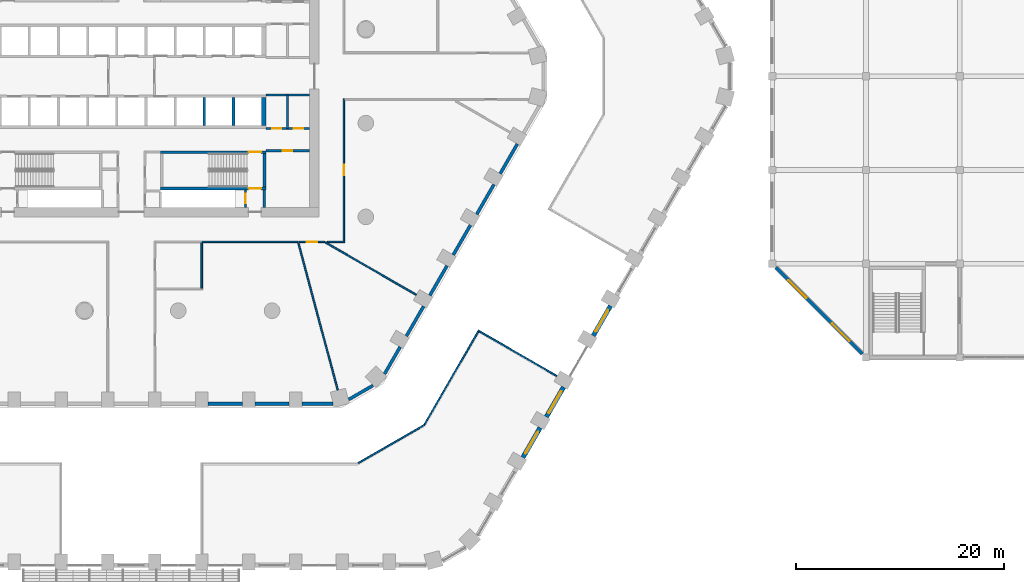
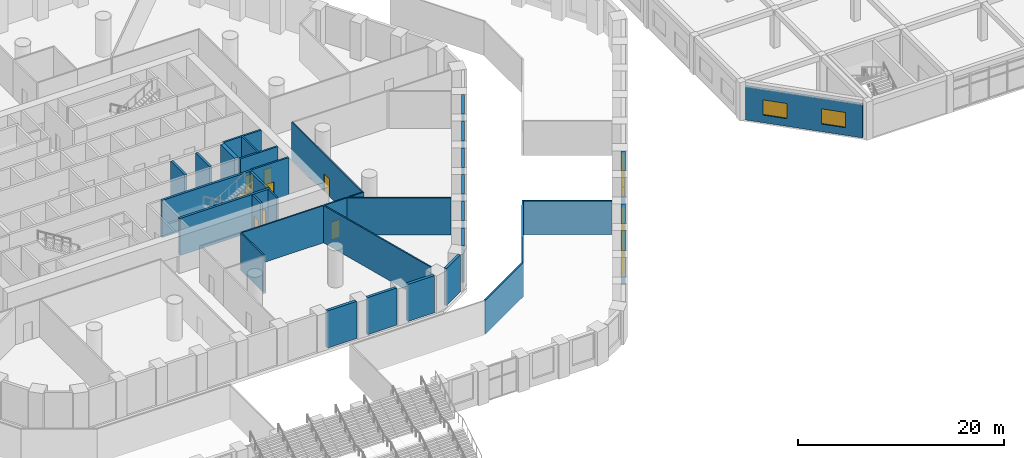
# One storey, part 21 of 42: 36 walls, 8 doors, 5 windows, 13 openings.
"""IFC4 building model written with IfcOpenShell, lengths in metres."""

from ifc_helpers import new_model, si_unit, direction, frame, frame_2d, origin, place, context, subcontext, project, spatial, polyline, rectangle, outline, extrude, material, layer, layer_set, type_object, element, fill, save


model = new_model("IFC4")

# Units and contexts
model_context = context("Model", 3, precision=1e-05, world=origin(), true_north=direction((0.0, 1.0)))
body_context = subcontext(model_context, "Body", "Model", "MODEL_VIEW")
ifc_project = project(units=[si_unit("LENGTHUNIT", "METRE"), si_unit("AREAUNIT", "SQUARE_METRE"), si_unit("VOLUMEUNIT", "CUBIC_METRE"), si_unit("PLANEANGLEUNIT", "RADIAN"), si_unit("MASSUNIT", "GRAM", prefix="KILO")], contexts=[model_context])

# Site, building, storey
site_placement = place(None, origin())
site = spatial("IfcSite", under=ifc_project, at=site_placement, CompositionType="ELEMENT")
building_placement = place(site_placement, origin())
building = spatial("IfcBuilding", under=site, at=building_placement, Name="Dhurran Vertical Campus", CompositionType="ELEMENT")
storey_placement = place(building_placement, frame((0.0, 0.0, 6.0)))
storey = spatial("IfcBuildingStorey", under=building, at=storey_placement, Name="L01", CompositionType="ELEMENT", Elevation=6.0)

# Wall, opening, window
ifc_material_1 = material(Name="Precast concrete C50/60", Category="concrete")
ifc_layer_1 = layer(ifc_material_1, 0.449951171875)
ifc_layer_set_1 = layer_set([ifc_layer_1], Name="Precast concrete C50/60")
wall_type_1 = type_object("IfcWallType", Name="Precast base wall 450", PredefinedType="SOLIDWALL", material=ifc_layer_set_1)
wall_1_placement = place(storey_placement, frame((37.579345703125, -36.591552734375, 0.0), z_axis=(0.0, 0.0, 1.0), x_axis=(0.499991515992, 0.866030301974, 0.0)))
wall_1 = element("IfcWall", 1, at=wall_1_placement, inside=storey, type_object=wall_type_1, Name="EW2 L01.16 ring", PredefinedType="SOLIDWALL", context=body_context, shape_type="SweptSolid", body=[
    extrude(rectangle(XDim=3.298828125, YDim=0.449951171875, at=frame_2d((1.6494140625, 0.0))), origin(), (0.0, 0.0, 1.0), 4.050048828125),
])
opening_1_placement = place(wall_1_placement, frame((0.449462890625, 0.0, 0.89990234375)))
opening_1 = element("IfcOpeningElement", 2, at=opening_1_placement, cuts=wall_1, Name="Opening WT2", PredefinedType="OPENING", context=body_context, shape_type="SweptSolid", body=[
    extrude(rectangle(XDim=2.39990234375, YDim=3.0, at=frame_2d((1.199951171875, 1.5))), frame((0.0, 0.23486328125, 0.0), z_axis=(0.0, -1.0, 0.0), x_axis=(1.0, 0.0, 0.0)), (0.0, 0.0, 1.0), 0.469970703125),
])
ifc_material_2 = material(Name="Aluminium frame with solar-control glass", Category="aluminium")
window_type_1 = type_object("IfcWindowType", Name="Podium window 2400 x 3000", PartitioningType="SINGLE_PANEL", PredefinedType="WINDOW", material=ifc_material_2)
window_1_placement = place(opening_1_placement, origin())
window_1 = element("IfcWindow", 3, at=window_1_placement, inside=storey, type_object=window_type_1, Name="WT2 L01.16 ring", OverallHeight=3.0, OverallWidth=2.39990234375, PartitioningType="SINGLE_PANEL", PredefinedType="WINDOW", context=body_context, shape_type="SweptSolid", body=[
    extrude(rectangle(XDim=2.39990234375, YDim=3.0, at=frame_2d((1.199951171875, 1.5))), frame((0.0, 0.030029296875, 0.0), z_axis=(0.0, -1.0, 0.0), x_axis=(1.0, 0.0, 0.0)), (0.0, 0.0, 1.0), 0.06005859375),
])
fill(opening_1, window_1)

wall_2_placement = place(storey_placement, frame((39.829345703125, -32.6943359375, 0.0), z_axis=(0.0, 0.0, 1.0), x_axis=(0.499991515992, 0.866030301974, 0.0)))
wall_2 = element("IfcWall", 4, at=wall_2_placement, inside=storey, type_object=wall_type_1, Name="EW2 L01.17 ring", PredefinedType="SOLIDWALL", context=body_context, shape_type="SweptSolid", body=[
    extrude(rectangle(XDim=3.298828125, YDim=0.449951171875, at=frame_2d((1.6494140625, 0.0))), origin(), (0.0, 0.0, 1.0), 4.050048828125),
])
opening_2_placement = place(wall_2_placement, frame((0.449462890625, 0.0, 0.89990234375)))
opening_2 = element("IfcOpeningElement", 5, at=opening_2_placement, cuts=wall_2, Name="Opening WT2", PredefinedType="OPENING", context=body_context, shape_type="SweptSolid", body=[
    extrude(rectangle(XDim=2.39990234375, YDim=3.0, at=frame_2d((1.199951171875, 1.5))), frame((0.0, 0.23486328125, 0.0), z_axis=(0.0, -1.0, 0.0), x_axis=(1.0, 0.0, 0.0)), (0.0, 0.0, 1.0), 0.469970703125),
])
window_2_placement = place(opening_2_placement, origin())
window_2 = element("IfcWindow", 6, at=window_2_placement, inside=storey, type_object=window_type_1, Name="WT2 L01.17 ring", OverallHeight=3.0, OverallWidth=2.39990234375, PartitioningType="SINGLE_PANEL", PredefinedType="WINDOW", context=body_context, shape_type="SweptSolid", body=[
    extrude(rectangle(XDim=2.39990234375, YDim=3.0, at=frame_2d((1.199951171875, 1.5))), frame((0.0, 0.030029296875, 0.0), z_axis=(0.0, -1.0, 0.0), x_axis=(1.0, 0.0, 0.0)), (0.0, 0.0, 1.0), 0.06005859375),
])
fill(opening_2, window_2)

wall_3_placement = place(storey_placement, frame((45.978759765625, -22.043212890625, 0.0), z_axis=(0.0, 0.0, 1.0), x_axis=(-0.499991515992, -0.866030301974, 0.0)))
wall_3 = element("IfcWall", 7, at=wall_3_placement, inside=storey, type_object=wall_type_1, Name="EW2 L01.19 ring", PredefinedType="SOLIDWALL", context=body_context, shape_type="SweptSolid", body=[
    extrude(rectangle(XDim=3.298828125, YDim=0.449951171875, at=frame_2d((1.6494140625, 0.0))), origin(), (0.0, 0.0, 1.0), 4.050048828125),
])
opening_3_placement = place(wall_3_placement, frame((0.449462890625, 0.0, 0.89990234375)))
opening_3 = element("IfcOpeningElement", 8, at=opening_3_placement, cuts=wall_3, Name="Opening WT2", PredefinedType="OPENING", context=body_context, shape_type="SweptSolid", body=[
    extrude(rectangle(XDim=2.39990234375, YDim=3.0, at=frame_2d((1.199951171875, 1.5))), frame((0.0, 0.23486328125, 0.0), z_axis=(0.0, -1.0, 0.0), x_axis=(1.0, 0.0, 0.0)), (0.0, 0.0, 1.0), 0.469970703125),
])
window_3_placement = place(opening_3_placement, origin())
window_3 = element("IfcWindow", 9, at=window_3_placement, inside=storey, type_object=window_type_1, Name="WT2 L01.19 ring", OverallHeight=3.0, OverallWidth=2.39990234375, PartitioningType="SINGLE_PANEL", PredefinedType="WINDOW", context=body_context, shape_type="SweptSolid", body=[
    extrude(rectangle(XDim=2.39990234375, YDim=3.0, at=frame_2d((1.199951171875, 1.5))), frame((0.0, 0.030029296875, 0.0), z_axis=(0.0, -1.0, 0.0), x_axis=(1.0, 0.0, 0.0)), (0.0, 0.0, 1.0), 0.06005859375),
])
fill(opening_3, window_3)

# Walls
ifc_material_3 = material(Name="Precast concrete C50/60", Category="concrete")
ifc_layer_2 = layer(ifc_material_3, 0.300048828125)
ifc_layer_set_2 = layer_set([ifc_layer_2], Name="Precast concrete C50/60")
wall_type_2 = type_object("IfcWallType", Name="Precast interior wall 300", PredefinedType="SOLIDWALL", material=ifc_layer_set_2)
for number, where, z_axis, x_axis, name in (
    (10, (7.3505859375, -31.4296875, 0.0), (0.0, 0.0, 1.0), (1.0, 0.0, 0.0), "EW5 L01.06"),
    (11, (11.8505859375, -31.4296875, 0.0), (0.0, 0.0, 1.0), (1.0, 0.0, 0.0), "EW5 L01.07"),
):
    element("IfcWall", number, at=place(storey_placement, frame(where, z_axis=z_axis, x_axis=x_axis)), inside=storey, type_object=wall_type_2, Name=name, PredefinedType="SOLIDWALL", context=body_context, shape_type="SweptSolid", body=[
        extrude(rectangle(XDim=3.298828125, YDim=0.300048828125, at=frame_2d((1.6494140625, 0.0))), origin(), (0.0, 0.0, 1.0), 4.39990234375),
    ])
wall_4_placement = place(storey_placement, frame((16.3505859375, -31.4296875, 0.0), z_axis=(0.0, 0.0, 1.0), x_axis=(1.0, 0.0, 0.0)))
element("IfcWall", 12, at=wall_4_placement, inside=storey, type_object=wall_type_2, Name="EW5 L01.08", PredefinedType="SOLIDWALL", context=body_context, shape_type="SweptSolid", body=[
    extrude(rectangle(XDim=2.98876953125, YDim=0.300048828125, at=frame_2d((1.494384765625, 0.0))), origin(), (0.0, 0.0, 1.0), 4.39990234375),
])
wall_5_placement = place(storey_placement, frame((20.86376953125, -31.021240234375, 0.0), z_axis=(0.0, 0.0, 1.0), x_axis=(0.866001915448, 0.500040680786, 0.0)))
element("IfcWall", 13, at=wall_5_placement, inside=storey, type_object=wall_type_2, Name="EW5 L01.09", PredefinedType="SOLIDWALL", context=body_context, shape_type="SweptSolid", body=[
    extrude(rectangle(XDim=2.678466796875, YDim=0.300048828125, at=frame_2d((1.33935546875, 0.0))), origin(), (0.0, 0.0, 1.0), 4.39990234375),
])
wall_6_placement = place(storey_placement, frame((24.29931640625, -28.566162109375, 0.0), z_axis=(0.0, 0.0, 1.0), x_axis=(0.49999586137, 0.866027793211, 0.0)))
element("IfcWall", 14, at=wall_6_placement, inside=storey, type_object=wall_type_2, Name="EW5 L01.10", PredefinedType="SOLIDWALL", context=body_context, shape_type="SweptSolid", body=[
    extrude(rectangle(XDim=2.98876953125, YDim=0.300048828125, at=frame_2d((1.494384765625, 0.0))), origin(), (0.0, 0.0, 1.0), 4.39990234375),
])
for number, where, z_axis, x_axis, name in (
    (15, (26.394287109375, -24.9375, 0.0), (0.0, 0.0, 1.0), (0.499991515992, 0.866030301974, 0.0), "EW5 L01.11"),
    (16, (28.644287109375, -21.04052734375, 0.0), (0.0, 0.0, 1.0), (0.499991515992, 0.866030301974, 0.0), "EW5 L01.12"),
    (17, (30.894287109375, -17.143310546875, 0.0), (0.0, 0.0, 1.0), (0.499991515992, 0.866030301974, 0.0), "EW5 L01.13"),
    (18, (33.144287109375, -13.246337890625, 0.0), (0.0, 0.0, 1.0), (0.499991515992, 0.866030301974, 0.0), "EW5 L01.14"),
    (19, (35.394287109375, -9.34912109375, 0.0), (0.0, 0.0, 1.0), (0.499991515992, 0.866030301974, 0.0), "EW5 L01.15"),
):
    element("IfcWall", number, at=place(storey_placement, frame(where, z_axis=z_axis, x_axis=x_axis)), inside=storey, type_object=wall_type_2, Name=name, PredefinedType="SOLIDWALL", context=body_context, shape_type="SweptSolid", body=[
        extrude(rectangle(XDim=3.298828125, YDim=0.300048828125, at=frame_2d((1.6494140625, 0.0))), origin(), (0.0, 0.0, 1.0), 4.39990234375),
    ])
ifc_material_4 = material(Name="Fire-rated masonry blockwork", Category="masonry")
ifc_layer_3 = layer(ifc_material_4, 0.199951171875)
ifc_layer_set_3 = layer_set([ifc_layer_3], Name="Fire-rated masonry blockwork")
wall_type_3 = type_object("IfcWallType", Name="co-FIRE-PARTITION-200", PredefinedType="PARTITIONING", material=ifc_layer_set_3)
wall_7_placement = place(storey_placement, frame((12.75, -12.60009765625, 0.0), z_axis=(0.0, 0.0, 1.0), x_axis=(0.0, 1.0, 0.0)))
element("IfcWall", 20, at=wall_7_placement, inside=storey, type_object=wall_type_3, Name="Core partition pass-ST4-o L01", PredefinedType="PARTITIONING", context=body_context, shape_type="SweptSolid", body=[
    extrude(rectangle(XDim=1.7001953125, YDim=0.199951171875, at=frame_2d((0.85009765625, 0.0))), origin(), (0.0, 0.0, 1.0), 4.39990234375),
])

# Wall, opening, door
wall_8_placement = place(storey_placement, frame((10.949951171875, -12.60009765625, 0.0), z_axis=(0.0, 0.0, 1.0), x_axis=(0.0, 1.0, 0.0)))
wall_8 = element("IfcWall", 21, at=wall_8_placement, inside=storey, type_object=wall_type_3, Name="Core partition pass-ST4-i L01", PredefinedType="PARTITIONING", context=body_context, shape_type="SweptSolid", body=[
    extrude(rectangle(XDim=1.7001953125, YDim=0.199951171875, at=frame_2d((0.85009765625, 0.0))), origin(), (0.0, 0.0, 1.0), 4.39990234375),
])
opening_4_placement = place(wall_8_placement, frame((0.39990234375, 0.0, 0.0)))
opening_4 = element("IfcOpeningElement", 22, at=opening_4_placement, cuts=wall_8, Name="Opening PD01-C11", PredefinedType="OPENING", context=body_context, shape_type="SweptSolid", body=[
    extrude(rectangle(XDim=0.89990234375, YDim=2.10009765625, at=frame_2d((0.449951171875, 1.050048828125))), frame((0.0, 0.10986328125, 0.0), z_axis=(0.0, -1.0, 0.0), x_axis=(1.0, 0.0, 0.0)), (0.0, 0.0, 1.0), 0.219970703125),
])
ifc_material_5 = material(Name="Fire-rated timber door set", Category="wood")
door_type_1 = type_object("IfcDoorType", Name="co-D-ROOM 900x2100", OperationType="SINGLE_SWING_LEFT", PredefinedType="DOOR", material=ifc_material_5)
door_1_placement = place(opening_4_placement, origin())
door_1 = element("IfcDoor", 23, at=door_1_placement, inside=storey, type_object=door_type_1, Name="Riser room door L01", OperationType="SINGLE_SWING_LEFT", OverallHeight=2.10009765625, OverallWidth=0.89990234375, PredefinedType="DOOR", context=body_context, shape_type="SweptSolid", body=[
    extrude(rectangle(XDim=0.89990234375, YDim=2.10009765625, at=frame_2d((0.449951171875, 1.050048828125))), frame((0.0, 0.02490234375, 0.0), z_axis=(0.0, -1.0, 0.0), x_axis=(1.0, 0.0, 0.0)), (0.0, 0.0, 1.0), 0.050048828125),
])
fill(opening_4, door_1)

wall_9_placement = place(storey_placement, frame((12.89990234375, -7.14990234375, 0.0), z_axis=(0.0, 0.0, 1.0), x_axis=(1.0, 0.0, 0.0)))
wall_9 = element("IfcWall", 24, at=wall_9_placement, inside=storey, type_object=wall_type_3, Name="Core partition en-SE-w L01", PredefinedType="PARTITIONING", context=body_context, shape_type="SweptSolid", body=[
    extrude(rectangle(XDim=4.2001953125, YDim=0.199951171875, at=frame_2d((2.10009765625, 0.0))), origin(), (0.0, 0.0, 1.0), 4.39990234375),
])
opening_5_placement = place(wall_9_placement, frame((1.64990234375, 0.0, 0.0)))
opening_5 = element("IfcOpeningElement", 25, at=opening_5_placement, cuts=wall_9, Name="Opening PD01-C23", PredefinedType="OPENING", context=body_context, shape_type="SweptSolid", body=[
    extrude(rectangle(XDim=0.89990234375, YDim=2.10009765625, at=frame_2d((0.449951171875, 1.050048828125))), frame((0.0, 0.10986328125, 0.0), z_axis=(0.0, -1.0, 0.0), x_axis=(1.0, 0.0, 0.0)), (0.0, 0.0, 1.0), 0.219970703125),
])
door_2_placement = place(opening_5_placement, origin())
door_2 = element("IfcDoor", 26, at=door_2_placement, inside=storey, type_object=door_type_1, Name="Plant room door L01", OperationType="SINGLE_SWING_LEFT", OverallHeight=2.10009765625, OverallWidth=0.89990234375, PredefinedType="DOOR", context=body_context, shape_type="SweptSolid", body=[
    extrude(rectangle(XDim=0.89990234375, YDim=2.10009765625, at=frame_2d((0.449951171875, 1.050048828125))), frame((0.0, 0.02490234375, 0.0), z_axis=(0.0, -1.0, 0.0), x_axis=(1.0, 0.0, 0.0)), (0.0, 0.0, 1.0), 0.050048828125),
])
fill(opening_5, door_2)

# Wall
wall_10_placement = place(storey_placement, frame((15.0, -5.0, 0.0), z_axis=(0.0, 0.0, 1.0), x_axis=(0.0, 1.0, 0.0)))
element("IfcWall", 27, at=wall_10_placement, inside=storey, type_object=wall_type_3, Name="Core partition es-SE-cut0 L01", PredefinedType="PARTITIONING", context=body_context, shape_type="SweptSolid", body=[
    extrude(rectangle(XDim=3.199951171875, YDim=0.199951171875, at=frame_2d((1.60009765625, 0.0))), origin(), (0.0, 0.0, 1.0), 4.39990234375),
])

# Wall, openings, doors
wall_11_placement = place(storey_placement, frame((12.89990234375, -5.0, 0.0), z_axis=(0.0, 0.0, 1.0), x_axis=(1.0, 0.0, 0.0)))
wall_11 = element("IfcWall", 28, at=wall_11_placement, inside=storey, type_object=wall_type_3, Name="Core partition es-SE-w L01", PredefinedType="PARTITIONING", context=body_context, shape_type="SweptSolid", body=[
    extrude(rectangle(XDim=4.2001953125, YDim=0.199951171875, at=frame_2d((2.10009765625, 0.0))), origin(), (0.0, 0.0, 1.0), 4.39990234375),
])
opening_6_placement = place(wall_11_placement, frame((0.60009765625, 0.0, 0.0)))
opening_6 = element("IfcOpeningElement", 29, at=opening_6_placement, cuts=wall_11, Name="Opening PD01-C24", PredefinedType="OPENING", context=body_context, shape_type="SweptSolid", body=[
    extrude(rectangle(XDim=0.89990234375, YDim=2.10009765625, at=frame_2d((0.449951171875, 1.050048828125))), frame((0.0, 0.10986328125, 0.0), z_axis=(0.0, -1.0, 0.0), x_axis=(1.0, 0.0, 0.0)), (0.0, 0.0, 1.0), 0.219970703125),
])
opening_7_placement = place(wall_11_placement, frame((2.699951171875, 0.0, 0.0)))
opening_7 = element("IfcOpeningElement", 30, at=opening_7_placement, cuts=wall_11, Name="Opening PD01-C25", PredefinedType="OPENING", context=body_context, shape_type="SweptSolid", body=[
    extrude(rectangle(XDim=0.89990234375, YDim=2.10009765625, at=frame_2d((0.449951171875, 1.050048828125))), frame((0.0, 0.10986328125, 0.0), z_axis=(0.0, -1.0, 0.0), x_axis=(1.0, 0.0, 0.0)), (0.0, 0.0, 1.0), 0.219970703125),
])
door_3_placement = place(opening_6_placement, origin())
door_3 = element("IfcDoor", 31, at=door_3_placement, inside=storey, type_object=door_type_1, Name="Pantry door L01", OperationType="SINGLE_SWING_LEFT", OverallHeight=2.10009765625, OverallWidth=0.89990234375, PredefinedType="DOOR", context=body_context, shape_type="SweptSolid", body=[
    extrude(rectangle(XDim=0.89990234375, YDim=2.10009765625, at=frame_2d((0.449951171875, 1.050048828125))), frame((0.0, 0.02490234375, 0.0), z_axis=(0.0, -1.0, 0.0), x_axis=(1.0, 0.0, 0.0)), (0.0, 0.0, 1.0), 0.050048828125),
])
fill(opening_6, door_3)
door_4_placement = place(opening_7_placement, origin())
door_4 = element("IfcDoor", 32, at=door_4_placement, inside=storey, type_object=door_type_1, Name="Store door L01", OperationType="SINGLE_SWING_LEFT", OverallHeight=2.10009765625, OverallWidth=0.89990234375, PredefinedType="DOOR", context=body_context, shape_type="SweptSolid", body=[
    extrude(rectangle(XDim=0.89990234375, YDim=2.10009765625, at=frame_2d((0.449951171875, 1.050048828125))), frame((0.0, 0.02490234375, 0.0), z_axis=(0.0, -1.0, 0.0), x_axis=(1.0, 0.0, 0.0)), (0.0, 0.0, 1.0), 0.050048828125),
])
fill(opening_7, door_4)

# Walls
wall_12_placement = place(storey_placement, frame((12.89990234375, -1.800048828125, 0.0), z_axis=(0.0, 0.0, 1.0), x_axis=(1.0, 0.0, 0.0)))
element("IfcWall", 33, at=wall_12_placement, inside=storey, type_object=wall_type_3, Name="Core partition es-SE-l L01", PredefinedType="PARTITIONING", context=body_context, shape_type="SweptSolid", body=[
    extrude(rectangle(XDim=4.2001953125, YDim=0.199951171875, at=frame_2d((2.10009765625, 0.0))), origin(), (0.0, 0.0, 1.0), 4.39990234375),
])
ifc_material_6 = material(Name="Concrete C50/60", Category="concrete")
ifc_layer_4 = layer(ifc_material_6, 0.25)
ifc_layer_set_4 = layer_set([ifc_layer_4], Name="Concrete C50/60")
wall_type_4 = type_object("IfcWallType", Name="co-SHAFT-MASS-250", PredefinedType="SHEAR", material=ifc_layer_set_4)
wall_13_placement = place(storey_placement, origin())
element("IfcWall", 34, at=wall_13_placement, inside=storey, type_object=wall_type_4, Name="Lift shaft wall S L01 9", PredefinedType="SHEAR", context=body_context, shape_type="SweptSolid", body=[
    extrude(outline(polyline([(6.875, -4.75), (7.125, -4.75), (7.125, -2.050048828125), (6.875, -2.050048828125), (6.875, -4.75)])), origin(), (0.0, 0.0, 1.0), 4.39990234375),
])
wall_14_placement = place(storey_placement, origin())
element("IfcWall", 35, at=wall_14_placement, inside=storey, type_object=wall_type_4, Name="Lift shaft wall S L01 10", PredefinedType="SHEAR", context=body_context, shape_type="SweptSolid", body=[
    extrude(outline(polyline([(9.675048828125, -4.75), (9.925048828125, -4.75), (9.925048828125, -2.050048828125), (9.675048828125, -2.050048828125), (9.675048828125, -4.75)])), origin(), (0.0, 0.0, 1.0), 4.39990234375),
])
wall_15_placement = place(storey_placement, origin())
element("IfcWall", 36, at=wall_15_placement, inside=storey, type_object=wall_type_4, Name="Lift shaft wall S L01 11", PredefinedType="SHEAR", context=body_context, shape_type="SweptSolid", body=[
    extrude(outline(polyline([(12.47509765625, -4.75), (12.89990234375, -4.75), (12.89990234375, -2.050048828125), (12.47509765625, -2.050048828125), (12.47509765625, -4.75)])), origin(), (0.0, 0.0, 1.0), 4.39990234375),
])

# Wall, opening, door
ifc_material_7 = material(Name="Concrete C40/50", Category="concrete")
ifc_layer_5 = layer(ifc_material_7, 0.25)
ifc_layer_set_5 = layer_set([ifc_layer_5], Name="Concrete C40/50")
wall_type_5 = type_object("IfcWallType", Name="co-STAIR-WALL-250", PredefinedType="SHEAR", material=ifc_layer_set_5)
wall_16_placement = place(storey_placement, frame((2.800048828125, -10.77490234375, 0.0), z_axis=(0.0, 0.0, 1.0), x_axis=(1.0, 0.0, 0.0)))
wall_16 = element("IfcWall", 37, at=wall_16_placement, inside=storey, type_object=wall_type_5, Name="Stair ST4 enclosure wall L01", PredefinedType="SHEAR", context=body_context, shape_type="SweptSolid", body=[
    extrude(rectangle(XDim=10.099853515625, YDim=0.25, at=frame_2d((5.0498046875, 0.0))), origin(), (0.0, 0.0, 1.0), 4.39990234375),
])
opening_8_placement = place(wall_16_placement, frame((8.449951171875, 0.0, 0.0)))
opening_8 = element("IfcOpeningElement", 38, at=opening_8_placement, cuts=wall_16, Name="Opening XS4", PredefinedType="OPENING", context=body_context, shape_type="SweptSolid", body=[
    extrude(rectangle(XDim=1.199951171875, YDim=2.10009765625, at=frame_2d((0.60009765625, 1.050048828125))), frame((0.0, 0.135009765625, 0.0), z_axis=(0.0, -1.0, 0.0), x_axis=(1.0, 0.0, 0.0)), (0.0, 0.0, 1.0), 0.27001953125),
])
ifc_material_8 = material(Name="Fire-rated steel door set", Category="steel")
door_type_2 = type_object("IfcDoorType", Name="co-D-STAIR-EXIT 1200x2100", OperationType="SINGLE_SWING_RIGHT", PredefinedType="DOOR", material=ifc_material_8)
door_5_placement = place(opening_8_placement, origin())
door_5 = element("IfcDoor", 39, at=door_5_placement, inside=storey, type_object=door_type_2, Name="Stair ST4 discharge door L01", OperationType="SINGLE_SWING_RIGHT", OverallHeight=2.10009765625, OverallWidth=1.199951171875, PredefinedType="DOOR", context=body_context, shape_type="SweptSolid", body=[
    extrude(rectangle(XDim=1.199951171875, YDim=2.10009765625, at=frame_2d((0.60009765625, 1.050048828125))), frame((0.0, 0.02490234375, 0.0), z_axis=(0.0, -1.0, 0.0), x_axis=(1.0, 0.0, 0.0)), (0.0, 0.0, 1.0), 0.050048828125),
])
fill(opening_8, door_5)

wall_17_placement = place(storey_placement, frame((2.800048828125, -7.27490234375, 0.0), z_axis=(0.0, 0.0, 1.0), x_axis=(1.0, 0.0, 0.0)))
wall_17 = element("IfcWall", 40, at=wall_17_placement, inside=storey, type_object=wall_type_5, Name="Stair ST4 enclosure wall L01", PredefinedType="SHEAR", context=body_context, shape_type="SweptSolid", body=[
    extrude(rectangle(XDim=10.099853515625, YDim=0.25, at=frame_2d((5.0498046875, 0.0))), origin(), (0.0, 0.0, 1.0), 4.39990234375),
])
opening_9_placement = place(wall_17_placement, frame((8.449951171875, 0.0, 0.0)))
opening_9 = element("IfcOpeningElement", 41, at=opening_9_placement, cuts=wall_17, Name="Opening SD4", PredefinedType="OPENING", context=body_context, shape_type="SweptSolid", body=[
    extrude(rectangle(XDim=1.199951171875, YDim=2.10009765625, at=frame_2d((0.60009765625, 1.050048828125))), frame((0.0, 0.135009765625, 0.0), z_axis=(0.0, -1.0, 0.0), x_axis=(1.0, 0.0, 0.0)), (0.0, 0.0, 1.0), 0.27001953125),
])
ifc_material_9 = material(Name="Fire-rated steel door set", Category="steel")
door_type_3 = type_object("IfcDoorType", Name="co-D-STAIR 1200x2100", OperationType="SINGLE_SWING_LEFT", PredefinedType="DOOR", material=ifc_material_9)
door_6_placement = place(opening_9_placement, origin())
door_6 = element("IfcDoor", 42, at=door_6_placement, inside=storey, type_object=door_type_3, Name="Stair ST4 door L01", OperationType="SINGLE_SWING_LEFT", OverallHeight=2.10009765625, OverallWidth=1.199951171875, PredefinedType="DOOR", context=body_context, shape_type="SweptSolid", body=[
    extrude(rectangle(XDim=1.199951171875, YDim=2.10009765625, at=frame_2d((0.60009765625, 1.050048828125))), frame((0.0, 0.02490234375, 0.0), z_axis=(0.0, -1.0, 0.0), x_axis=(1.0, 0.0, 0.0)), (0.0, 0.0, 1.0), 0.050048828125),
])
fill(opening_9, door_6)

# Walls
wall_18_placement = place(storey_placement, frame((12.77490234375, -10.64990234375, 0.0), z_axis=(0.0, 0.0, 1.0), x_axis=(0.0, 1.0, 0.0)))
element("IfcWall", 43, at=wall_18_placement, inside=storey, type_object=wall_type_5, Name="Stair ST4 enclosure wall L01", PredefinedType="SHEAR", context=body_context, shape_type="SweptSolid", body=[
    extrude(rectangle(XDim=3.25, YDim=0.25, at=frame_2d((1.625, 0.0))), origin(), (0.0, 0.0, 1.0), 4.39990234375),
])
ifc_material_10 = material(Name="Gypsum board corridor wall on steel studs", Category="steel")
ifc_layer_6 = layer(ifc_material_10, 0.14990234375)
ifc_layer_set_6 = layer_set([ifc_layer_6], Name="Gypsum board corridor wall on steel studs")
wall_type_6 = type_object("IfcWallType", Name="fl-CW-150 corridor wall", PredefinedType="PARTITIONING", material=ifc_layer_set_6)
wall_19_placement = place(storey_placement, frame((28.138916015625, -33.46044921875, 0.0), z_axis=(0.0, 0.0, 1.0), x_axis=(-0.866011067739, -0.500024829938, 0.0)))
element("IfcWall", 44, at=wall_19_placement, inside=storey, type_object=wall_type_6, Name="Partition 01-R66", PredefinedType="PARTITIONING", context=body_context, shape_type="SweptSolid", body=[
    extrude(rectangle(XDim=7.338623046875, YDim=0.14990234375, at=frame_2d((3.66943359375, 0.0))), origin(), (0.0, 0.0, 1.0), 4.050048828125),
])
wall_20_placement = place(storey_placement, frame((33.361572265625, -24.37109375, 0.0), z_axis=(0.0, 0.0, 1.0), x_axis=(-0.500054877109, -0.865993718152, 0.0)))
element("IfcWall", 45, at=wall_20_placement, inside=storey, type_object=wall_type_6, Name="Partition 01-R68", PredefinedType="PARTITIONING", context=body_context, shape_type="SweptSolid", body=[
    extrude(rectangle(XDim=10.447021484375, YDim=0.14990234375, at=frame_2d((5.2236328125, 0.0))), origin(), (0.0, 0.0, 1.0), 4.050048828125),
])
wall_21_placement = place(storey_placement, frame((40.83056640625, -28.77001953125, 0.0), z_axis=(0.0, 0.0, 1.0), x_axis=(-0.866015728299, 0.500016758057, 0.0)))
element("IfcWall", 46, at=wall_21_placement, inside=storey, type_object=wall_type_6, Name="Partition 01-R76", PredefinedType="PARTITIONING", context=body_context, shape_type="SweptSolid", body=[
    extrude(rectangle(XDim=8.593017578125, YDim=0.14990234375, at=frame_2d((4.29638671875, 0.0))), origin(), (0.0, 0.0, 1.0), 4.050048828125),
])
wall_22_placement = place(storey_placement, frame((6.75, -15.89990234375, 0.0), z_axis=(0.0, 0.0, 1.0), x_axis=(1.0, 0.0, 0.0)))
element("IfcWall", 47, at=wall_22_placement, inside=storey, type_object=wall_type_6, Name="Partition 01-31", PredefinedType="PARTITIONING", context=body_context, shape_type="SweptSolid", body=[
    extrude(rectangle(XDim=9.2451171875, YDim=0.14990234375, at=frame_2d((4.62255859375, 0.0))), origin(), (0.0, 0.0, 1.0), 4.39990234375),
])

# Wall, opening, door
wall_23_placement = place(storey_placement, frame((16.090087890625, -15.89990234375, 0.0), z_axis=(0.0, 0.0, 1.0), x_axis=(1.0, 0.0, 0.0)))
wall_23 = element("IfcWall", 48, at=wall_23_placement, inside=storey, type_object=wall_type_6, Name="Partition 01-36", PredefinedType="PARTITIONING", context=body_context, shape_type="SweptSolid", body=[
    extrude(rectangle(XDim=2.449951171875, YDim=0.14990234375, at=frame_2d((1.22509765625, 0.0))), origin(), (0.0, 0.0, 1.0), 4.39990234375),
])
opening_10_placement = place(wall_23_placement, frame((0.72509765625, 0.0, 0.0)))
opening_10 = element("IfcOpeningElement", 49, at=opening_10_placement, cuts=wall_23, Name="Opening PD01.13", PredefinedType="OPENING", context=body_context, shape_type="SweptSolid", body=[
    extrude(rectangle(XDim=1.0, YDim=2.10009765625, at=frame_2d((0.5, 1.050048828125))), frame((0.0, 0.0849609375, 0.0), z_axis=(0.0, -1.0, 0.0), x_axis=(1.0, 0.0, 0.0)), (0.0, 0.0, 1.0), 0.169921875),
])
ifc_material_11 = material(Name="Solid-core timber door set, fire-rated", Category="wood")
door_type_4 = type_object("IfcDoorType", Name="fl-D-1000x2100", OperationType="SINGLE_SWING_LEFT", PredefinedType="DOOR", material=ifc_material_11)
door_7_placement = place(opening_10_placement, origin())
door_7 = element("IfcDoor", 50, at=door_7_placement, inside=storey, type_object=door_type_4, Name="Door 01.13", OperationType="SINGLE_SWING_LEFT", OverallHeight=2.10009765625, OverallWidth=1.0, PredefinedType="DOOR", context=body_context, shape_type="SweptSolid", body=[
    extrude(rectangle(XDim=1.0, YDim=2.10009765625, at=frame_2d((0.5, 1.050048828125))), frame((0.0, 0.02490234375, 0.0), z_axis=(0.0, -1.0, 0.0), x_axis=(1.0, 0.0, 0.0)), (0.0, 0.0, 1.0), 0.050048828125),
])
fill(opening_10, door_7)

# Wall
wall_24_placement = place(storey_placement, frame((18.81494140625, -15.89990234375, 0.0), z_axis=(0.0, 0.0, 1.0), x_axis=(1.0, 0.0, 0.0)))
element("IfcWall", 51, at=wall_24_placement, inside=storey, type_object=wall_type_6, Name="Partition 01-38", PredefinedType="PARTITIONING", context=body_context, shape_type="SweptSolid", body=[
    extrude(rectangle(XDim=1.66015625, YDim=0.14990234375, at=frame_2d((0.830078125, 0.0))), origin(), (0.0, 0.0, 1.0), 4.39990234375),
])

# Wall, opening, door
wall_25_placement = place(storey_placement, frame((20.39990234375, -15.824951171875, 0.0), z_axis=(0.0, 0.0, 1.0), x_axis=(0.0, 1.0, 0.0)))
wall_25 = element("IfcWall", 52, at=wall_25_placement, inside=storey, type_object=wall_type_6, Name="Partition 01-40", PredefinedType="PARTITIONING", context=body_context, shape_type="SweptSolid", body=[
    extrude(rectangle(XDim=13.64990234375, YDim=0.14990234375, at=frame_2d((6.824951171875, 0.0))), origin(), (0.0, 0.0, 1.0), 4.39990234375),
])
opening_11_placement = place(wall_25_placement, frame((6.324951171875, 0.0, 0.0)))
opening_11 = element("IfcOpeningElement", 53, at=opening_11_placement, cuts=wall_25, Name="Opening PD01.15", PredefinedType="OPENING", context=body_context, shape_type="SweptSolid", body=[
    extrude(rectangle(XDim=1.0, YDim=2.10009765625, at=frame_2d((0.5, 1.050048828125))), frame((0.0, 0.0849609375, 0.0), z_axis=(0.0, -1.0, 0.0), x_axis=(1.0, 0.0, 0.0)), (0.0, 0.0, 1.0), 0.169921875),
])
door_8_placement = place(opening_11_placement, origin())
door_8 = element("IfcDoor", 54, at=door_8_placement, inside=storey, type_object=door_type_4, Name="Door 01.15", OperationType="SINGLE_SWING_LEFT", OverallHeight=2.10009765625, OverallWidth=1.0, PredefinedType="DOOR", context=body_context, shape_type="SweptSolid", body=[
    extrude(rectangle(XDim=1.0, YDim=2.10009765625, at=frame_2d((0.5, 1.050048828125))), frame((0.0, 0.02490234375, 0.0), z_axis=(0.0, -1.0, 0.0), x_axis=(1.0, 0.0, 0.0)), (0.0, 0.0, 1.0), 0.050048828125),
])
fill(opening_11, door_8)

# Walls
ifc_material_12 = material(Name="Gypsum board partition on steel studs", Category="steel")
ifc_layer_7 = layer(ifc_material_12, 0.14990234375)
ifc_layer_set_7 = layer_set([ifc_layer_7], Name="Gypsum board partition on steel studs")
wall_type_7 = type_object("IfcWallType", Name="fl-PW-150 fixed partition", PredefinedType="PARTITIONING", material=ifc_layer_set_7)
wall_26_placement = place(storey_placement, frame((6.75, -15.97509765625, 0.0), z_axis=(0.0, 0.0, 1.0), x_axis=(0.0, -1.0, 0.0)))
element("IfcWall", 55, at=wall_26_placement, inside=storey, type_object=wall_type_7, Name="Partition 01-30", PredefinedType="PARTITIONING", context=body_context, shape_type="SweptSolid", body=[
    extrude(rectangle(XDim=4.349853515625, YDim=0.14990234375, at=frame_2d((2.1748046875, 0.0))), origin(), (0.0, 0.0, 1.0), 4.39990234375),
])
wall_27_placement = place(storey_placement, frame((16.014404296875, -15.972412109375, 0.0), z_axis=(0.0, 0.0, 1.0), x_axis=(0.258843305697, -0.965919325356, 0.0)))
element("IfcWall", 56, at=wall_27_placement, inside=storey, type_object=wall_type_7, Name="Partition 01-37", PredefinedType="PARTITIONING", context=body_context, shape_type="SweptSolid", body=[
    extrude(rectangle(XDim=14.64404296875, YDim=0.14990234375, at=frame_2d((7.322021484375, 0.0))), origin(), (0.0, 0.0, 1.0), 4.39990234375),
])
wall_28_placement = place(storey_placement, frame((18.60498046875, -15.9375, 0.0), z_axis=(0.0, 0.0, 1.0), x_axis=(0.865988664976, -0.500063628085, 0.0)))
element("IfcWall", 57, at=wall_28_placement, inside=storey, type_object=wall_type_7, Name="Partition 01-39", PredefinedType="PARTITIONING", context=body_context, shape_type="SweptSolid", body=[
    extrude(rectangle(XDim=10.075927734375, YDim=0.14990234375, at=frame_2d((5.0380859375, 0.0))), origin(), (0.0, 0.0, 1.0), 4.39990234375),
])

# Wall, openings, windows
ifc_material_13 = material(Name="Precast concrete C40/50", Category="concrete")
ifc_layer_8 = layer(ifc_material_13, 0.300048828125)
ifc_layer_set_8 = layer_set([ifc_layer_8], Name="Precast concrete C40/50")
wall_type_8 = type_object("IfcWallType", Name="hl-external wall precast 300", PredefinedType="SOLIDWALL", material=ifc_layer_set_8)
wall_29_placement = place(storey_placement, frame((61.85009765625, -18.35009765625, 0.0), z_axis=(0.0, 0.0, 1.0), x_axis=(0.707106781187, -0.707106781187, 0.0)))
wall_29 = element("IfcWall", 58, at=wall_29_placement, inside=storey, type_object=wall_type_8, Name="Hall external wall L01-002", PredefinedType="SOLIDWALL", context=body_context, shape_type="SweptSolid", body=[
    extrude(rectangle(XDim=11.73779296875, YDim=0.300048828125, at=frame_2d((5.868896484375, 0.0))), origin(), (0.0, 0.0, 1.0), 3.89990234375),
])
opening_12_placement = place(wall_29_placement, frame((1.734619140625, 0.0, 0.89990234375)))
opening_12 = element("IfcOpeningElement", 59, at=opening_12_placement, cuts=wall_29, Name="Opening HWN1", PredefinedType="OPENING", context=body_context, shape_type="SweptSolid", body=[
    extrude(rectangle(XDim=2.39990234375, YDim=1.800048828125, at=frame_2d((1.199951171875, 0.89990234375))), frame((0.0, 0.159912109375, 0.0), z_axis=(0.0, -1.0, 0.0), x_axis=(1.0, 0.0, 0.0)), (0.0, 0.0, 1.0), 0.320068359375),
])
opening_13_placement = place(wall_29_placement, frame((7.603515625, 0.0, 0.89990234375)))
opening_13 = element("IfcOpeningElement", 60, at=opening_13_placement, cuts=wall_29, Name="Opening HWN1", PredefinedType="OPENING", context=body_context, shape_type="SweptSolid", body=[
    extrude(rectangle(XDim=2.39990234375, YDim=1.800048828125, at=frame_2d((1.199951171875, 0.89990234375))), frame((0.0, 0.159912109375, 0.0), z_axis=(0.0, -1.0, 0.0), x_axis=(1.0, 0.0, 0.0)), (0.0, 0.0, 1.0), 0.320068359375),
])
ifc_material_14 = material(Name="Aluminium", Category="aluminium")
window_type_2 = type_object("IfcWindowType", Name="hl-window 2400x1800", PartitioningType="SINGLE_PANEL", PredefinedType="WINDOW", material=ifc_material_14)
window_4_placement = place(opening_12_placement, origin())
window_4 = element("IfcWindow", 61, at=window_4_placement, inside=storey, type_object=window_type_2, Name="Hall window L01-013", OverallHeight=1.800048828125, OverallWidth=2.39990234375, PartitioningType="SINGLE_PANEL", PredefinedType="WINDOW", context=body_context, shape_type="SweptSolid", body=[
    extrude(rectangle(XDim=2.39990234375, YDim=1.800048828125, at=frame_2d((1.199951171875, 0.89990234375))), frame((0.0, 0.030029296875, 0.0), z_axis=(0.0, -1.0, 0.0), x_axis=(1.0, 0.0, 0.0)), (0.0, 0.0, 1.0), 0.06005859375),
])
fill(opening_12, window_4)
window_5_placement = place(opening_13_placement, origin())
window_5 = element("IfcWindow", 62, at=window_5_placement, inside=storey, type_object=window_type_2, Name="Hall window L01-014", OverallHeight=1.800048828125, OverallWidth=2.39990234375, PartitioningType="SINGLE_PANEL", PredefinedType="WINDOW", context=body_context, shape_type="SweptSolid", body=[
    extrude(rectangle(XDim=2.39990234375, YDim=1.800048828125, at=frame_2d((1.199951171875, 0.89990234375))), frame((0.0, 0.030029296875, 0.0), z_axis=(0.0, -1.0, 0.0), x_axis=(1.0, 0.0, 0.0)), (0.0, 0.0, 1.0), 0.06005859375),
])
fill(opening_13, window_5)

save(model, "model.ifc")
